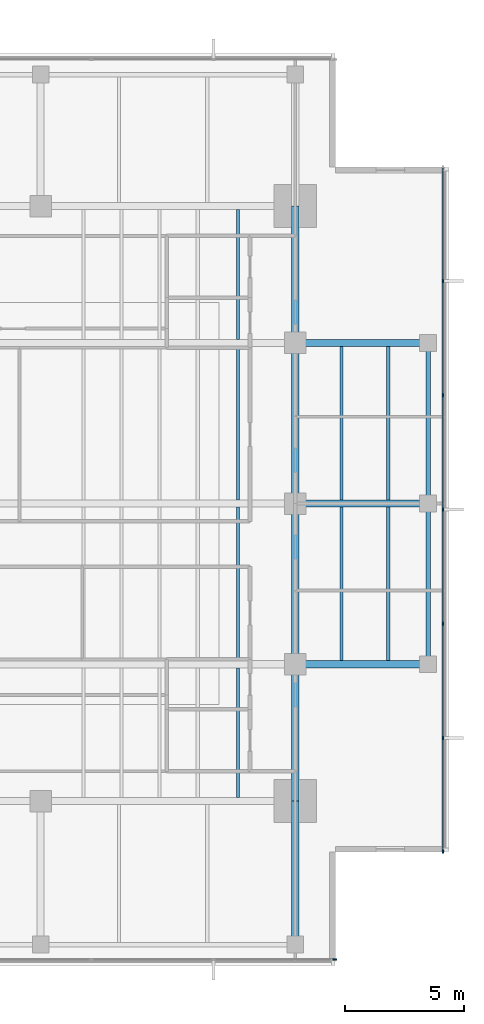
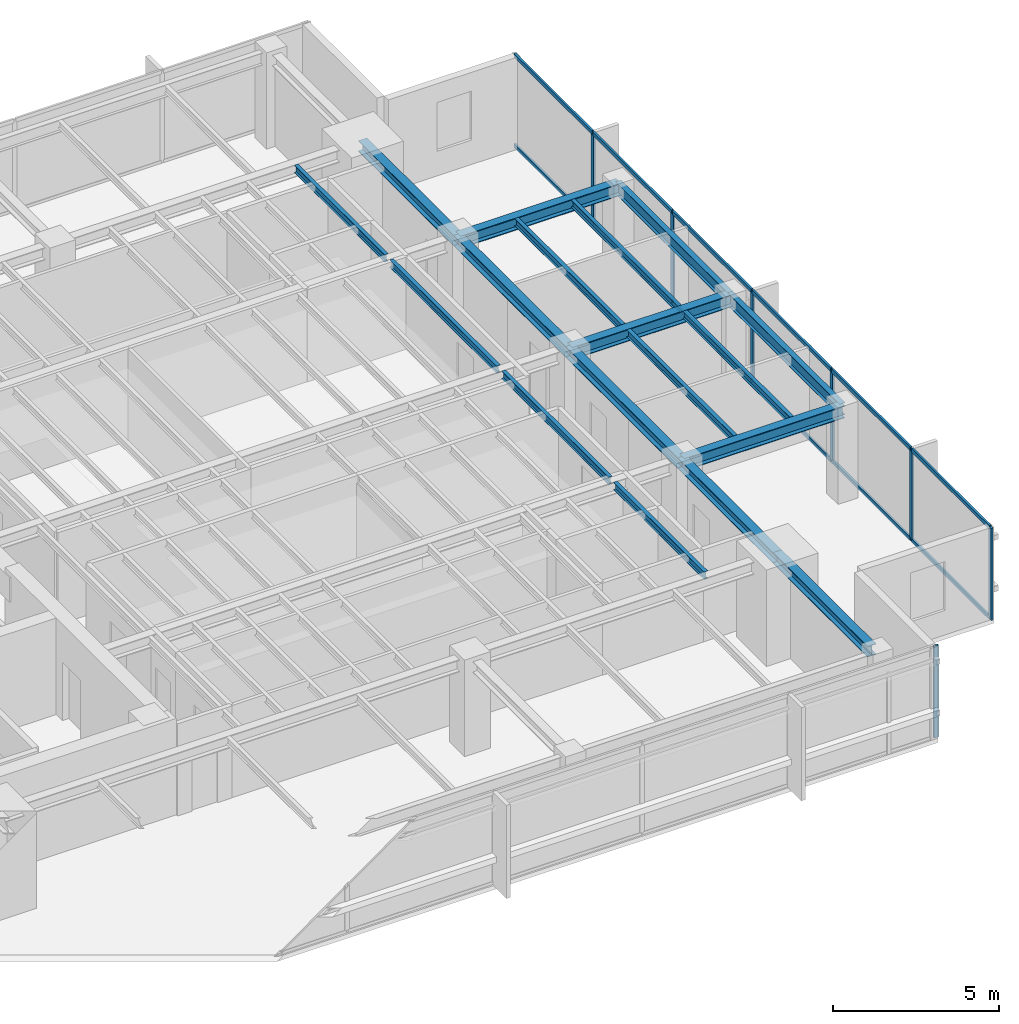
# One storey, part 4 of 14: 19 members, 18 beams, 2 elements without a shape of their own.
"""IFC4 building model written with IfcOpenShell, lengths in metres."""

from ifc_helpers import new_model, si_unit, direction, frame, origin, origin_2d, place, context, subcontext, project, spatial, rectangle, i_section, extrude, material, layer, layer_set, material_profile, profile_set, type_object, element, aggregate, save


model = new_model("IFC4")

# Units and contexts
model_context = context("Model", 3, precision=1e-05, world=origin(), true_north=direction((0.0, 1.0)))
body_context = subcontext(model_context, "Body", "Model", "MODEL_VIEW")
ifc_project = project(units=[si_unit("LENGTHUNIT", "METRE"), si_unit("AREAUNIT", "SQUARE_METRE"), si_unit("VOLUMEUNIT", "CUBIC_METRE"), si_unit("PLANEANGLEUNIT", "RADIAN"), si_unit("MASSUNIT", "GRAM", prefix="KILO")], contexts=[model_context])

# Site, building, storey
site_placement = place(None, origin())
site = spatial("IfcSite", under=ifc_project, at=site_placement, CompositionType="ELEMENT")
building_placement = place(site_placement, origin())
building = spatial("IfcBuilding", under=site, at=building_placement, Name="Kinhvarn Gate Tower", CompositionType="ELEMENT")
storey_placement = place(building_placement, frame((0.0, 0.0, 252.800048828125)))
storey = spatial("IfcBuildingStorey", under=building, at=storey_placement, Name="L67", CompositionType="ELEMENT", Elevation=252.800048828125)

# Curtain wall, member
ifc_material_1 = material(Name="Anodised aluminium AW-6063", Category="aluminium")
ifc_layer = layer(ifc_material_1, 0.179931640625)
ifc_layer_set = layer_set([ifc_layer], Name="Anodised aluminium AW-6063")
curtain_wall_type = type_object("IfcCurtainWallType", Name="CW-SYS-3", PredefinedType="NOTDEFINED", material=ifc_layer_set)
curtain_wall_1_placement = place(storey_placement, origin())
curtain_wall_1 = element("IfcCurtainWall", 1, at=curtain_wall_1_placement, inside=storey, type_object=curtain_wall_type, Name="Curtain Wall CW3 (L67)", PredefinedType="NOTDEFINED")
ifc_material_profile_1 = material_profile(ifc_material_1, rectangle(XDim=0.06494140625, YDim=0.159912109375, at=origin_2d()), Name="ALU 65x160")
ifc_profile_set_1 = profile_set([ifc_material_profile_1], Name="Anodised aluminium AW-6063")
member_type_1 = type_object("IfcMemberType", Name="CW-MUL-160", PredefinedType="MULLION", material=ifc_profile_set_1)
member_1_placement = place(storey_placement, frame((39.867431640625, 6.090087890625, 0.0), z_axis=(0.0, 0.0, 1.0), x_axis=(0.0, 1.0, 0.0)))
member_1 = element("IfcMember", 2, at=member_1_placement, type_object=member_type_1, Name="CW3 mullion 7", PredefinedType="MULLION", context=body_context, shape_type="SweptSolid", body=[
    extrude(rectangle(XDim=0.06494140625, YDim=0.159912109375, at=origin_2d()), origin(), (0.0, 0.0, 1.0), 3.389892578125),
])
aggregate(curtain_wall_1, [member_1])

# Curtain wall, members
curtain_wall_2_placement = place(storey_placement, origin())
curtain_wall_2 = element("IfcCurtainWall", 3, at=curtain_wall_2_placement, inside=storey, type_object=curtain_wall_type, Name="Curtain Wall CW3 (L67)", PredefinedType="NOTDEFINED")
member_2_placement = place(storey_placement, frame((44.409912109375, 10.632568359375, 0.0), z_axis=(0.0, 0.0, 1.0), x_axis=(-1.0, 0.0, 0.0)))
member_2 = element("IfcMember", 4, at=member_2_placement, type_object=member_type_1, Name="CW3 mullion 1", PredefinedType="MULLION", context=body_context, shape_type="SweptSolid", body=[
    extrude(rectangle(XDim=0.06494140625, YDim=0.159912109375, at=origin_2d()), origin(), (0.0, 0.0, 1.0), 3.389892578125),
])
member_3_placement = place(storey_placement, frame((44.409912109375, 15.39990234375, 0.0), z_axis=(0.0, 0.0, 1.0), x_axis=(-1.0, 0.0, 0.0)))
member_3 = element("IfcMember", 5, at=member_3_placement, type_object=member_type_1, Name="CW3 mullion 2", PredefinedType="MULLION", context=body_context, shape_type="SweptSolid", body=[
    extrude(rectangle(XDim=0.06494140625, YDim=0.159912109375, at=origin_2d()), origin(), (0.0, 0.0, 1.0), 3.389892578125),
])
member_4_placement = place(storey_placement, frame((44.409912109375, 20.199951171875, 0.0), z_axis=(0.0, 0.0, 1.0), x_axis=(-1.0, 0.0, 0.0)))
member_4 = element("IfcMember", 6, at=member_4_placement, type_object=member_type_1, Name="CW3 mullion 3", PredefinedType="MULLION", context=body_context, shape_type="SweptSolid", body=[
    extrude(rectangle(XDim=0.06494140625, YDim=0.159912109375, at=origin_2d()), origin(), (0.0, 0.0, 1.0), 3.389892578125),
])
member_5_placement = place(storey_placement, frame((44.409912109375, 25.0, 0.0), z_axis=(0.0, 0.0, 1.0), x_axis=(-1.0, 0.0, 0.0)))
member_5 = element("IfcMember", 7, at=member_5_placement, type_object=member_type_1, Name="CW3 mullion 4", PredefinedType="MULLION", context=body_context, shape_type="SweptSolid", body=[
    extrude(rectangle(XDim=0.06494140625, YDim=0.159912109375, at=origin_2d()), origin(), (0.0, 0.0, 1.0), 3.389892578125),
])
member_6_placement = place(storey_placement, frame((44.409912109375, 29.800048828125, 0.0), z_axis=(0.0, 0.0, 1.0), x_axis=(-1.0, 0.0, 0.0)))
member_6 = element("IfcMember", 8, at=member_6_placement, type_object=member_type_1, Name="CW3 mullion 5", PredefinedType="MULLION", context=body_context, shape_type="SweptSolid", body=[
    extrude(rectangle(XDim=0.06494140625, YDim=0.159912109375, at=origin_2d()), origin(), (0.0, 0.0, 1.0), 3.389892578125),
])
member_7_placement = place(storey_placement, frame((44.409912109375, 34.60009765625, 0.0), z_axis=(0.0, 0.0, 1.0), x_axis=(-1.0, 0.0, 0.0)))
member_7 = element("IfcMember", 9, at=member_7_placement, type_object=member_type_1, Name="CW3 mullion 6", PredefinedType="MULLION", context=body_context, shape_type="SweptSolid", body=[
    extrude(rectangle(XDim=0.06494140625, YDim=0.159912109375, at=origin_2d()), origin(), (0.0, 0.0, 1.0), 3.389892578125),
])
ifc_material_profile_2 = material_profile(ifc_material_1, rectangle(XDim=0.070068359375, YDim=0.139892578125, at=origin_2d()), Name="ALU 70x140")
ifc_profile_set_2 = profile_set([ifc_material_profile_2], Name="Anodised aluminium AW-6063")
member_type_2 = type_object("IfcMemberType", Name="CW-TRN-140", PredefinedType="USERDEFINED", material=ifc_profile_set_2)
member_8_placement = place(storey_placement, frame((44.409912109375, 10.6650390625, 0.034912109375), z_axis=(0.0, 1.0, 0.0), x_axis=(-1.0, 0.0, 0.0)))
member_8 = element("IfcMember", 10, at=member_8_placement, type_object=member_type_2, Name="CW3 transom 1.1", ObjectType="TRANSOM", PredefinedType="USERDEFINED", context=body_context, shape_type="SweptSolid", body=[
    extrude(rectangle(XDim=0.070068359375, YDim=0.139892578125, at=origin_2d()), origin(), (0.0, 0.0, 1.0), 4.702392578125),
])
member_9_placement = place(storey_placement, frame((44.409912109375, 10.6650390625, 3.35498046875), z_axis=(0.0, 1.0, 0.0), x_axis=(-1.0, 0.0, 0.0)))
member_9 = element("IfcMember", 11, at=member_9_placement, type_object=member_type_2, Name="CW3 transom 1.2", ObjectType="TRANSOM", PredefinedType="USERDEFINED", context=body_context, shape_type="SweptSolid", body=[
    extrude(rectangle(XDim=0.070068359375, YDim=0.139892578125, at=origin_2d()), origin(), (0.0, 0.0, 1.0), 4.702392578125),
])
member_10_placement = place(storey_placement, frame((44.409912109375, 15.4326171875, 0.034912109375), z_axis=(0.0, 1.0, 0.0), x_axis=(-1.0, 0.0, 0.0)))
member_10 = element("IfcMember", 12, at=member_10_placement, type_object=member_type_2, Name="CW3 transom 2.1", ObjectType="TRANSOM", PredefinedType="USERDEFINED", context=body_context, shape_type="SweptSolid", body=[
    extrude(rectangle(XDim=0.070068359375, YDim=0.139892578125, at=origin_2d()), origin(), (0.0, 0.0, 1.0), 4.73486328125),
])
member_11_placement = place(storey_placement, frame((44.409912109375, 15.4326171875, 3.35498046875), z_axis=(0.0, 1.0, 0.0), x_axis=(-1.0, 0.0, 0.0)))
member_11 = element("IfcMember", 13, at=member_11_placement, type_object=member_type_2, Name="CW3 transom 2.2", ObjectType="TRANSOM", PredefinedType="USERDEFINED", context=body_context, shape_type="SweptSolid", body=[
    extrude(rectangle(XDim=0.070068359375, YDim=0.139892578125, at=origin_2d()), origin(), (0.0, 0.0, 1.0), 4.73486328125),
])
member_12_placement = place(storey_placement, frame((44.409912109375, 20.232421875, 0.034912109375), z_axis=(0.0, 1.0, 0.0), x_axis=(-1.0, 0.0, 0.0)))
member_12 = element("IfcMember", 14, at=member_12_placement, type_object=member_type_2, Name="CW3 transom 3.1", ObjectType="TRANSOM", PredefinedType="USERDEFINED", context=body_context, shape_type="SweptSolid", body=[
    extrude(rectangle(XDim=0.070068359375, YDim=0.139892578125, at=origin_2d()), origin(), (0.0, 0.0, 1.0), 4.735107421875),
])
member_13_placement = place(storey_placement, frame((44.409912109375, 20.232421875, 3.35498046875), z_axis=(0.0, 1.0, 0.0), x_axis=(-1.0, 0.0, 0.0)))
member_13 = element("IfcMember", 15, at=member_13_placement, type_object=member_type_2, Name="CW3 transom 3.2", ObjectType="TRANSOM", PredefinedType="USERDEFINED", context=body_context, shape_type="SweptSolid", body=[
    extrude(rectangle(XDim=0.070068359375, YDim=0.139892578125, at=origin_2d()), origin(), (0.0, 0.0, 1.0), 4.735107421875),
])
member_14_placement = place(storey_placement, frame((44.409912109375, 25.032470703125, 0.034912109375), z_axis=(0.0, 1.0, 0.0), x_axis=(-1.0, 0.0, 0.0)))
member_14 = element("IfcMember", 16, at=member_14_placement, type_object=member_type_2, Name="CW3 transom 4.1", ObjectType="TRANSOM", PredefinedType="USERDEFINED", context=body_context, shape_type="SweptSolid", body=[
    extrude(rectangle(XDim=0.070068359375, YDim=0.139892578125, at=origin_2d()), origin(), (0.0, 0.0, 1.0), 4.735107421875),
])
member_15_placement = place(storey_placement, frame((44.409912109375, 25.032470703125, 3.35498046875), z_axis=(0.0, 1.0, 0.0), x_axis=(-1.0, 0.0, 0.0)))
member_15 = element("IfcMember", 17, at=member_15_placement, type_object=member_type_2, Name="CW3 transom 4.2", ObjectType="TRANSOM", PredefinedType="USERDEFINED", context=body_context, shape_type="SweptSolid", body=[
    extrude(rectangle(XDim=0.070068359375, YDim=0.139892578125, at=origin_2d()), origin(), (0.0, 0.0, 1.0), 4.735107421875),
])
member_16_placement = place(storey_placement, frame((44.409912109375, 29.83251953125, 0.034912109375), z_axis=(0.0, 1.0, 0.0), x_axis=(-1.0, 0.0, 0.0)))
member_16 = element("IfcMember", 18, at=member_16_placement, type_object=member_type_2, Name="CW3 transom 5.1", ObjectType="TRANSOM", PredefinedType="USERDEFINED", context=body_context, shape_type="SweptSolid", body=[
    extrude(rectangle(XDim=0.070068359375, YDim=0.139892578125, at=origin_2d()), origin(), (0.0, 0.0, 1.0), 4.73486328125),
])
member_17_placement = place(storey_placement, frame((44.409912109375, 29.83251953125, 3.35498046875), z_axis=(0.0, 1.0, 0.0), x_axis=(-1.0, 0.0, 0.0)))
member_17 = element("IfcMember", 19, at=member_17_placement, type_object=member_type_2, Name="CW3 transom 5.2", ObjectType="TRANSOM", PredefinedType="USERDEFINED", context=body_context, shape_type="SweptSolid", body=[
    extrude(rectangle(XDim=0.070068359375, YDim=0.139892578125, at=origin_2d()), origin(), (0.0, 0.0, 1.0), 4.73486328125),
])
member_18_placement = place(storey_placement, frame((44.409912109375, 34.632568359375, 0.034912109375), z_axis=(0.0, 1.0, 0.0), x_axis=(-1.0, 0.0, 0.0)))
member_18 = element("IfcMember", 20, at=member_18_placement, type_object=member_type_2, Name="CW3 transom 6.1", ObjectType="TRANSOM", PredefinedType="USERDEFINED", context=body_context, shape_type="SweptSolid", body=[
    extrude(rectangle(XDim=0.070068359375, YDim=0.139892578125, at=origin_2d()), origin(), (0.0, 0.0, 1.0), 4.702392578125),
])
member_19_placement = place(storey_placement, frame((44.409912109375, 34.632568359375, 3.35498046875), z_axis=(0.0, 1.0, 0.0), x_axis=(-1.0, 0.0, 0.0)))
member_19 = element("IfcMember", 21, at=member_19_placement, type_object=member_type_2, Name="CW3 transom 6.2", ObjectType="TRANSOM", PredefinedType="USERDEFINED", context=body_context, shape_type="SweptSolid", body=[
    extrude(rectangle(XDim=0.070068359375, YDim=0.139892578125, at=origin_2d()), origin(), (0.0, 0.0, 1.0), 4.702392578125),
])
aggregate(curtain_wall_2, [member_2, member_3, member_4, member_5, member_6, member_7, member_8, member_9, member_10, member_11, member_12, member_13, member_14, member_15, member_16, member_17, member_18, member_19])

# Beams
ifc_material_2 = material(Name="Steel S355", Category="steel")
ifc_material_profile_3 = material_profile(ifc_material_2, i_section(OverallWidth=0.300048828125, OverallDepth=0.39990234375, WebThickness=0.013427734375, FlangeThickness=0.02392578125, at=origin_2d()), Name="HEB 400")
ifc_profile_set_3 = profile_set([ifc_material_profile_3], Name="Steel S355")
beam_type_1 = type_object("IfcBeamType", Name="STL-HEB400", PredefinedType="BEAM", material=ifc_profile_set_3)
beam_1_placement = place(storey_placement, frame((38.199951171875, 7.054931640625, 3.18994140625), z_axis=(0.0, 1.0, 0.0), x_axis=(-1.0, 0.0, 0.0)))
element("IfcBeam", 22, at=beam_1_placement, inside=storey, type_object=beam_type_1, Name="Floor Beam PG-12 (L67 MCE-S)", PredefinedType="BEAM", context=body_context, shape_type="SweptSolid", body=[
    extrude(i_section(OverallWidth=0.300048828125, OverallDepth=0.39990234375, WebThickness=0.013427734375, FlangeThickness=0.02392578125, at=origin_2d()), origin(), (0.0, 0.0, 1.0), 5.695068359375),
])
beam_2_placement = place(storey_placement, frame((38.199951171875, 12.75, 3.18994140625), z_axis=(0.0, 1.0, 0.0), x_axis=(-1.0, 0.0, 0.0)))
element("IfcBeam", 23, at=beam_2_placement, inside=storey, type_object=beam_type_1, Name="Floor Beam PG-12 (L67 MG-E-12)", PredefinedType="BEAM", context=body_context, shape_type="SweptSolid", body=[
    extrude(i_section(OverallWidth=0.300048828125, OverallDepth=0.39990234375, WebThickness=0.013427734375, FlangeThickness=0.02392578125, at=origin_2d()), origin(), (0.0, 0.0, 1.0), 5.75),
])
for number, where, z_axis, x_axis, name in (
    (24, (38.199951171875, 18.5, 3.18994140625), (0.0, 1.0, 0.0), (-1.0, 0.0, 0.0), "Floor Beam PG-12 (L67 MG-E-18)"),
    (25, (38.199951171875, 25.25, 3.18994140625), (0.0, 1.0, 0.0), (-1.0, 0.0, 0.0), "Floor Beam PG-12 (L67 MG-E-25)"),
):
    element("IfcBeam", number, at=place(storey_placement, frame(where, z_axis=z_axis, x_axis=x_axis)), inside=storey, type_object=beam_type_1, Name=name, PredefinedType="BEAM", context=body_context, shape_type="SweptSolid", body=[
        extrude(i_section(OverallWidth=0.300048828125, OverallDepth=0.39990234375, WebThickness=0.013427734375, FlangeThickness=0.02392578125, at=origin_2d()), origin(), (0.0, 0.0, 1.0), 6.75),
    ])
beam_3_placement = place(storey_placement, frame((38.199951171875, 32.0, 3.18994140625), z_axis=(0.0, 1.0, 0.0), x_axis=(-1.0, 0.0, 0.0)))
element("IfcBeam", 26, at=beam_3_placement, inside=storey, type_object=beam_type_1, Name="Floor Beam PG-12 (L67 MG-E-32)", PredefinedType="BEAM", context=body_context, shape_type="SweptSolid", body=[
    extrude(i_section(OverallWidth=0.300048828125, OverallDepth=0.39990234375, WebThickness=0.013427734375, FlangeThickness=0.02392578125, at=origin_2d()), origin(), (0.0, 0.0, 1.0), 5.75),
])
ifc_material_profile_4 = material_profile(ifc_material_2, i_section(OverallWidth=0.300048828125, OverallDepth=0.449951171875, WebThickness=0.013916015625, FlangeThickness=0.02587890625, at=origin_2d()), Name="HEB 450")
ifc_profile_set_4 = profile_set([ifc_material_profile_4], Name="Steel S355")
beam_type_2 = type_object("IfcBeamType", Name="STL-HEB450", PredefinedType="BEAM", material=ifc_profile_set_4)
for number, where, z_axis, x_axis, name in (
    (27, (38.199951171875, 18.5, 3.1650390625), (1.0, 0.0, 0.0), (0.0, 1.0, 0.0), "Floor Beam PG-13 (L67 EW2-Y18)"),
    (28, (38.199951171875, 25.25, 3.1650390625), (1.0, 0.0, 0.0), (0.0, 1.0, 0.0), "Floor Beam PG-13 (L67 EW2-Y25)"),
    (29, (38.199951171875, 32.0, 3.1650390625), (1.0, 0.0, 0.0), (0.0, 1.0, 0.0), "Floor Beam PG-13 (L67 EW2-Y32)"),
):
    element("IfcBeam", number, at=place(storey_placement, frame(where, z_axis=z_axis, x_axis=x_axis)), inside=storey, type_object=beam_type_2, Name=name, PredefinedType="BEAM", context=body_context, shape_type="SweptSolid", body=[
        extrude(i_section(OverallWidth=0.300048828125, OverallDepth=0.449951171875, WebThickness=0.013916015625, FlangeThickness=0.02587890625, at=origin_2d()), origin(), (0.0, 0.0, 1.0), 5.580078125),
    ])
ifc_material_profile_5 = material_profile(ifc_material_2, i_section(OverallWidth=0.135009765625, OverallDepth=0.27001953125, WebThickness=0.006591796875, FlangeThickness=0.01025390625, at=origin_2d()), Name="IPE 270")
ifc_profile_set_5 = profile_set([ifc_material_profile_5], Name="Steel S355")
beam_type_3 = type_object("IfcBeamType", Name="STL-IPE270", PredefinedType="JOIST", material=ifc_profile_set_5)
beam_4_placement = place(storey_placement, frame((35.800048828125, 12.89990234375, 3.2548828125), z_axis=(0.0, 1.0, 0.0), x_axis=(-1.0, 0.0, 0.0)))
element("IfcBeam", 30, at=beam_4_placement, inside=storey, type_object=beam_type_3, Name="Floor Joist SB-01 (L67 JC-X358-0)", PredefinedType="JOIST", context=body_context, shape_type="SweptSolid", body=[
    extrude(i_section(OverallWidth=0.135009765625, OverallDepth=0.27001953125, WebThickness=0.006591796875, FlangeThickness=0.01025390625, at=origin_2d()), origin(), (0.0, 0.0, 1.0), 5.4501953125),
])
for number, where, z_axis, x_axis, name in (
    (31, (35.800048828125, 18.64990234375, 3.2548828125), (0.0, 1.0, 0.0), (-1.0, 0.0, 0.0), "Floor Joist SB-01 (L67 JC-X358-1)"),
    (32, (35.800048828125, 25.39990234375, 3.2548828125), (0.0, 1.0, 0.0), (-1.0, 0.0, 0.0), "Floor Joist SB-01 (L67 JC-X358-2)"),
):
    element("IfcBeam", number, at=place(storey_placement, frame(where, z_axis=z_axis, x_axis=x_axis)), inside=storey, type_object=beam_type_3, Name=name, PredefinedType="JOIST", context=body_context, shape_type="SweptSolid", body=[
        extrude(i_section(OverallWidth=0.135009765625, OverallDepth=0.27001953125, WebThickness=0.006591796875, FlangeThickness=0.01025390625, at=origin_2d()), origin(), (0.0, 0.0, 1.0), 6.4501953125),
    ])
beam_5_placement = place(storey_placement, frame((35.800048828125, 32.14990234375, 3.2548828125), z_axis=(0.0, 1.0, 0.0), x_axis=(-1.0, 0.0, 0.0)))
element("IfcBeam", 33, at=beam_5_placement, inside=storey, type_object=beam_type_3, Name="Floor Joist SB-01 (L67 JC-X358-3)", PredefinedType="JOIST", context=body_context, shape_type="SweptSolid", body=[
    extrude(i_section(OverallWidth=0.135009765625, OverallDepth=0.27001953125, WebThickness=0.006591796875, FlangeThickness=0.01025390625, at=origin_2d()), origin(), (0.0, 0.0, 1.0), 5.4501953125),
])
for number, where, z_axis, x_axis, name in (
    (34, (40.14990234375, 18.64990234375, 3.2548828125), (0.0, 1.0, 0.0), (-1.0, 0.0, 0.0), "Floor Joist SB-01 (L67 JC-X401-1)"),
    (35, (40.14990234375, 25.39990234375, 3.2548828125), (0.0, 1.0, 0.0), (-1.0, 0.0, 0.0), "Floor Joist SB-01 (L67 JC-X401-2)"),
    (36, (42.110107421875, 18.64990234375, 3.2548828125), (0.0, 1.0, 0.0), (-1.0, 0.0, 0.0), "Floor Joist SB-01 (L67 JC-X421-1)"),
    (37, (42.110107421875, 25.39990234375, 3.2548828125), (0.0, 1.0, 0.0), (-1.0, 0.0, 0.0), "Floor Joist SB-01 (L67 JC-X421-2)"),
):
    element("IfcBeam", number, at=place(storey_placement, frame(where, z_axis=z_axis, x_axis=x_axis)), inside=storey, type_object=beam_type_3, Name=name, PredefinedType="JOIST", context=body_context, shape_type="SweptSolid", body=[
        extrude(i_section(OverallWidth=0.135009765625, OverallDepth=0.27001953125, WebThickness=0.006591796875, FlangeThickness=0.01025390625, at=origin_2d()), origin(), (0.0, 0.0, 1.0), 6.4501953125),
    ])
ifc_material_profile_6 = material_profile(ifc_material_2, i_section(OverallWidth=0.18994140625, OverallDepth=0.449951171875, WebThickness=0.009521484375, FlangeThickness=0.0146484375, at=origin_2d()), Name="IPE 450")
ifc_profile_set_6 = profile_set([ifc_material_profile_6], Name="Steel S355")
beam_type_4 = type_object("IfcBeamType", Name="STL-IPE450", PredefinedType="JOIST", material=ifc_profile_set_6)
for number, where, z_axis, x_axis, name in (
    (38, (43.780029296875, 18.5, 3.1650390625), (0.0, 1.0, 0.0), (-1.0, 0.0, 0.0), "Floor Joist SB-06 (L67 SP-E2)"),
    (39, (43.780029296875, 25.25, 3.1650390625), (0.0, 1.0, 0.0), (-1.0, 0.0, 0.0), "Floor Joist SB-06 (L67 SP-E3)"),
):
    element("IfcBeam", number, at=place(storey_placement, frame(where, z_axis=z_axis, x_axis=x_axis)), inside=storey, type_object=beam_type_4, Name=name, PredefinedType="JOIST", context=body_context, shape_type="SweptSolid", body=[
        extrude(i_section(OverallWidth=0.18994140625, OverallDepth=0.449951171875, WebThickness=0.009521484375, FlangeThickness=0.0146484375, at=origin_2d()), origin(), (0.0, 0.0, 1.0), 6.75),
    ])

save(model, "model.ifc")
